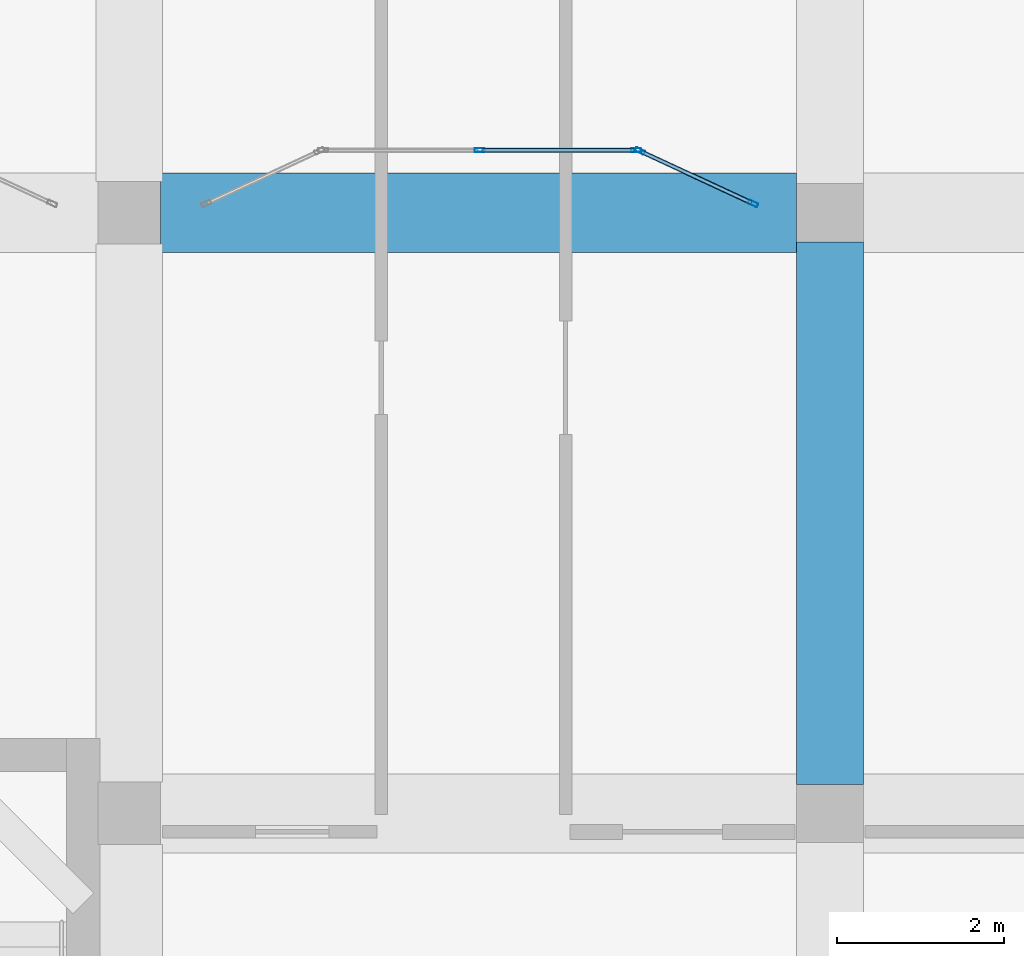
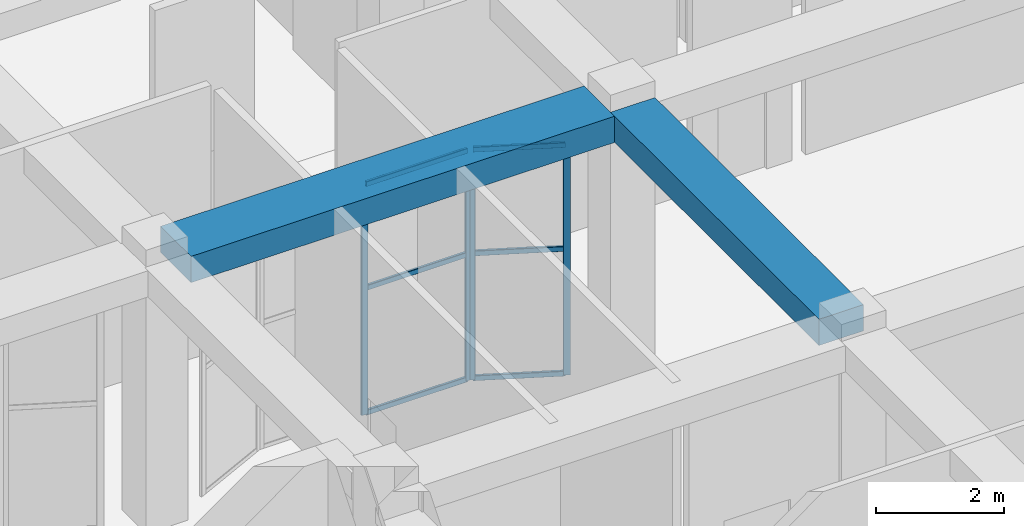
# One storey, part 15 of 84: 10 members, 2 beams, 2 elements without a shape of their own.
"""IFC4 building model written with IfcOpenShell, lengths in metres."""

from ifc_helpers import new_model, si_unit, derived_unit, direction, frame, origin, origin_2d, place, context, subcontext, project, spatial, rectangle, hollow_rectangle, extrude, material, material_profile, profile_set, type_object, element, aggregate, save


model = new_model("IFC4")

# Units and contexts
model_context = context("Model", 3, precision=1e-05, world=origin(), true_north=direction((0.0, 1.0)))
body_context = subcontext(model_context, "Body", "Model", "MODEL_VIEW")
ifc_project = project(units=[si_unit("LENGTHUNIT", "METRE"), si_unit("AREAUNIT", "SQUARE_METRE"), si_unit("VOLUMEUNIT", "CUBIC_METRE"), si_unit("PLANEANGLEUNIT", "RADIAN"), si_unit("MASSUNIT", "GRAM", prefix="KILO"), derived_unit("THERMALTRANSMITTANCEUNIT", [(si_unit("POWERUNIT", "WATT"), 1), (si_unit("LENGTHUNIT", "METRE"), -2), (si_unit("THERMODYNAMICTEMPERATUREUNIT", "KELVIN"), -1)])], contexts=[model_context])

# Site, building, storey
site_placement = place(None, origin())
site = spatial("IfcSite", under=ifc_project, at=site_placement, CompositionType="ELEMENT")
building_placement = place(site_placement, origin())
building = spatial("IfcBuilding", under=site, at=building_placement, Name="Veybourne Emporium", CompositionType="ELEMENT")
storey_placement = place(building_placement, origin())
storey = spatial("IfcBuildingStorey", under=building, at=storey_placement, Name="L00", CompositionType="ELEMENT", Elevation=0.0)

# Curtain wall, members
ifc_material_1 = material(Name="Patinated Architectural Bronze", Category="bronze")
curtain_wall_type_1 = type_object("IfcCurtainWallType", Name="CWSystem_CWI-06", PredefinedType="NOTDEFINED", material=ifc_material_1)
curtain_wall_1_placement = place(storey_placement, origin())
curtain_wall_1 = element("IfcCurtainWall", 1, at=curtain_wall_1_placement, inside=storey, type_object=curtain_wall_type_1, Name="Arcade bow-front boutique shopfront L00 bay 10 facet 2", PredefinedType="NOTDEFINED")
ifc_material_profile_1 = material_profile(ifc_material_1, hollow_rectangle(XDim=0.050048828125, YDim=0.1201171875, WallThickness=0.00390625, InnerFilletRadius=0.006103515625, OuterFilletRadius=0.010009765625, at=origin_2d()), Name="CWM 50x120x4")
ifc_profile_set_1 = profile_set([ifc_material_profile_1], Name="Patinated Architectural Bronze")
member_type_1 = type_object("IfcMemberType", Name="CWMullion_CW-M5", PredefinedType="MULLION", material=ifc_profile_set_1)
member_1_placement = place(storey_placement, frame((88.199951171875, 22.35009765625, 0.0), z_axis=(0.0, 0.0, 1.0), x_axis=(0.0, 1.0, 0.0)))
member_1 = element("IfcMember", 2, at=member_1_placement, type_object=member_type_1, Name="CWI-06 mullion 2", PredefinedType="MULLION", context=body_context, shape_type="SweptSolid", body=[
    extrude(hollow_rectangle(XDim=0.050048828125, YDim=0.1201171875, WallThickness=0.00390625, InnerFilletRadius=0.006103515625, OuterFilletRadius=0.010009765625, at=origin_2d()), origin(), (0.0, 0.0, 1.0), 4.39990234375),
])
member_2_placement = place(storey_placement, frame((90.074951171875, 22.35009765625, 0.0), z_axis=(0.0, 0.0, 1.0), x_axis=(0.0, 1.0, 0.0)))
member_2 = element("IfcMember", 3, at=member_2_placement, type_object=member_type_1, Name="CWI-06 mullion 3", PredefinedType="MULLION", context=body_context, shape_type="SweptSolid", body=[
    extrude(hollow_rectangle(XDim=0.050048828125, YDim=0.1201171875, WallThickness=0.00390625, InnerFilletRadius=0.006103515625, OuterFilletRadius=0.010009765625, at=origin_2d()), origin(), (0.0, 0.0, 1.0), 4.39990234375),
])

curtain_wall_type_2 = type_object("IfcCurtainWallType", Name="CWSystem_CWI-01", PredefinedType="NOTDEFINED", material=ifc_material_1)
curtain_wall_2_placement = place(storey_placement, origin())
curtain_wall_2 = element("IfcCurtainWall", 4, at=curtain_wall_2_placement, inside=storey, type_object=curtain_wall_type_2, Name="Arcade bow-front boutique shopfront L00 bay 10 facet 3", PredefinedType="NOTDEFINED")
member_3_placement = place(storey_placement, frame((90.12255859375, 22.33935546875, 0.0), z_axis=(0.0, 0.0, 1.0), x_axis=(0.421111306453, 0.907008967749, 0.0)))
member_3 = element("IfcMember", 5, at=member_3_placement, type_object=member_type_1, Name="CWI-01 mullion 1", PredefinedType="MULLION", context=body_context, shape_type="SweptSolid", body=[
    extrude(hollow_rectangle(XDim=0.050048828125, YDim=0.1201171875, WallThickness=0.00390625, InnerFilletRadius=0.006103515625, OuterFilletRadius=0.010009765625, at=origin_2d()), origin(), (0.0, 0.0, 1.0), 4.39990234375),
])
member_4_placement = place(storey_placement, frame((91.477294921875, 21.71044921875, 0.0), z_axis=(0.0, 0.0, 1.0), x_axis=(0.421111306453, 0.907008967749, 0.0)))
member_4 = element("IfcMember", 6, at=member_4_placement, type_object=member_type_1, Name="CWI-01 mullion 2", PredefinedType="MULLION", context=body_context, shape_type="SweptSolid", body=[
    extrude(hollow_rectangle(XDim=0.050048828125, YDim=0.1201171875, WallThickness=0.00390625, InnerFilletRadius=0.006103515625, OuterFilletRadius=0.010009765625, at=origin_2d()), origin(), (0.0, 0.0, 1.0), 4.39990234375),
])

# Member
ifc_material_profile_2 = material_profile(ifc_material_1, hollow_rectangle(XDim=0.050048828125, YDim=0.10009765625, WallThickness=0.00390625, InnerFilletRadius=0.006103515625, OuterFilletRadius=0.010009765625, at=origin_2d()), Name="CWT 50x100x4")
ifc_profile_set_2 = profile_set([ifc_material_profile_2], Name="Patinated Architectural Bronze")
member_type_2 = type_object("IfcMemberType", Name="CWTransom_CW-T5", PredefinedType="NOTDEFINED", material=ifc_profile_set_2)
member_5_placement = place(storey_placement, frame((88.22509765625, 22.35009765625, 0.02490234375), z_axis=(1.0, 0.0, 0.0), x_axis=(0.0, 1.0, 0.0)))
member_5 = element("IfcMember", 7, at=member_5_placement, type_object=member_type_2, Name="CWI-06 transom 2.1", ObjectType="TRANSOM", PredefinedType="USERDEFINED", context=body_context, shape_type="SweptSolid", body=[
    extrude(hollow_rectangle(XDim=0.050048828125, YDim=0.10009765625, WallThickness=0.00390625, InnerFilletRadius=0.006103515625, OuterFilletRadius=0.010009765625, at=origin_2d()), origin(), (0.0, 0.0, 1.0), 1.824951171875),
])

member_6_placement = place(storey_placement, frame((88.22509765625, 22.35009765625, 2.39990234375), z_axis=(1.0, 0.0, 0.0), x_axis=(0.0, 1.0, 0.0)))
member_6 = element("IfcMember", 8, at=member_6_placement, type_object=member_type_2, Name="CWI-06 transom 2.2", ObjectType="TRANSOM", PredefinedType="USERDEFINED", context=body_context, shape_type="SweptSolid", body=[
    extrude(hollow_rectangle(XDim=0.050048828125, YDim=0.10009765625, WallThickness=0.00390625, InnerFilletRadius=0.006103515625, OuterFilletRadius=0.010009765625, at=origin_2d()), origin(), (0.0, 0.0, 1.0), 1.824951171875),
])

member_7_placement = place(storey_placement, frame((88.22509765625, 22.35009765625, 4.375), z_axis=(1.0, 0.0, 0.0), x_axis=(0.0, 1.0, 0.0)))
member_7 = element("IfcMember", 9, at=member_7_placement, type_object=member_type_2, Name="CWI-06 transom 2.3", ObjectType="TRANSOM", PredefinedType="USERDEFINED", context=body_context, shape_type="SweptSolid", body=[
    extrude(hollow_rectangle(XDim=0.050048828125, YDim=0.10009765625, WallThickness=0.00390625, InnerFilletRadius=0.006103515625, OuterFilletRadius=0.010009765625, at=origin_2d()), origin(), (0.0, 0.0, 1.0), 1.824951171875),
])

aggregate(curtain_wall_1, [member_1, member_2, member_5, member_6, member_7])

member_8_placement = place(storey_placement, frame((90.145263671875, 22.328857421875, 0.02490234375), z_axis=(0.907006660705, -0.421116275435, 0.0), x_axis=(0.421116275435, 0.907006660705, 0.0)))
member_8 = element("IfcMember", 10, at=member_8_placement, type_object=member_type_2, Name="CWI-01 transom 1.1", ObjectType="TRANSOM", PredefinedType="USERDEFINED", context=body_context, shape_type="SweptSolid", body=[
    extrude(hollow_rectangle(XDim=0.050048828125, YDim=0.10009765625, WallThickness=0.00390625, InnerFilletRadius=0.006103515625, OuterFilletRadius=0.010009765625, at=origin_2d()), origin(), (0.0, 0.0, 1.0), 1.443603515625),
])

member_9_placement = place(storey_placement, frame((90.145263671875, 22.328857421875, 2.39990234375), z_axis=(0.907006660705, -0.421116275435, 0.0), x_axis=(0.421116275435, 0.907006660705, 0.0)))
member_9 = element("IfcMember", 11, at=member_9_placement, type_object=member_type_2, Name="CWI-01 transom 1.2", ObjectType="TRANSOM", PredefinedType="USERDEFINED", context=body_context, shape_type="SweptSolid", body=[
    extrude(hollow_rectangle(XDim=0.050048828125, YDim=0.10009765625, WallThickness=0.00390625, InnerFilletRadius=0.006103515625, OuterFilletRadius=0.010009765625, at=origin_2d()), origin(), (0.0, 0.0, 1.0), 1.443603515625),
])

member_10_placement = place(storey_placement, frame((90.145263671875, 22.328857421875, 4.375), z_axis=(0.907006660705, -0.421116275435, 0.0), x_axis=(0.421116275435, 0.907006660705, 0.0)))
member_10 = element("IfcMember", 12, at=member_10_placement, type_object=member_type_2, Name="CWI-01 transom 1.3", ObjectType="TRANSOM", PredefinedType="USERDEFINED", context=body_context, shape_type="SweptSolid", body=[
    extrude(hollow_rectangle(XDim=0.050048828125, YDim=0.10009765625, WallThickness=0.00390625, InnerFilletRadius=0.006103515625, OuterFilletRadius=0.010009765625, at=origin_2d()), origin(), (0.0, 0.0, 1.0), 1.443603515625),
])

aggregate(curtain_wall_2, [member_3, member_4, member_8, member_9, member_10])

# Beams
ifc_material_2 = material(Name="Concrete C32/40", Category="concrete")
ifc_material_profile_3 = material_profile(ifc_material_2, rectangle(XDim=0.949951171875, YDim=0.5, at=origin_2d()), Name="RC 950x500")
ifc_profile_set_3 = profile_set([ifc_material_profile_3], Name="Concrete C32/40")
beam_type_1 = type_object("IfcBeamType", Name="RCBeam_BB-01", PredefinedType="BEAM", material=ifc_profile_set_3)
beam_1_placement = place(storey_placement, frame((84.375, 21.60009765625, 4.830078125), z_axis=(1.0, 0.0, 0.0), x_axis=(0.0, 1.0, 0.0)))
element("IfcBeam", 13, at=beam_1_placement, inside=storey, type_object=beam_type_1, Name="L00 X-grid beam BB-01 (10,3)", PredefinedType="BEAM", context=body_context, shape_type="SweptSolid", body=[
    extrude(rectangle(XDim=0.949951171875, YDim=0.5, at=origin_2d()), origin(), (0.0, 0.0, 1.0), 7.625),
])
ifc_material_profile_4 = material_profile(ifc_material_2, rectangle(XDim=0.800048828125, YDim=0.5, at=origin_2d()), Name="RC 800x500")
ifc_profile_set_4 = profile_set([ifc_material_profile_4], Name="Concrete C32/40")
beam_type_2 = type_object("IfcBeamType", Name="RCBeam_BB-02", PredefinedType="BEAM", material=ifc_profile_set_4)
beam_2_placement = place(storey_placement, frame((92.39990234375, 14.75, 4.830078125), z_axis=(0.0, 1.0, 0.0), x_axis=(-1.0, 0.0, 0.0)))
element("IfcBeam", 14, at=beam_2_placement, inside=storey, type_object=beam_type_2, Name="L00 Y-grid beam BB-02 (11,2)", PredefinedType="BEAM", context=body_context, shape_type="SweptSolid", body=[
    extrude(rectangle(XDim=0.800048828125, YDim=0.5, at=origin_2d()), origin(), (0.0, 0.0, 1.0), 6.5),
])

save(model, "model.ifc")
